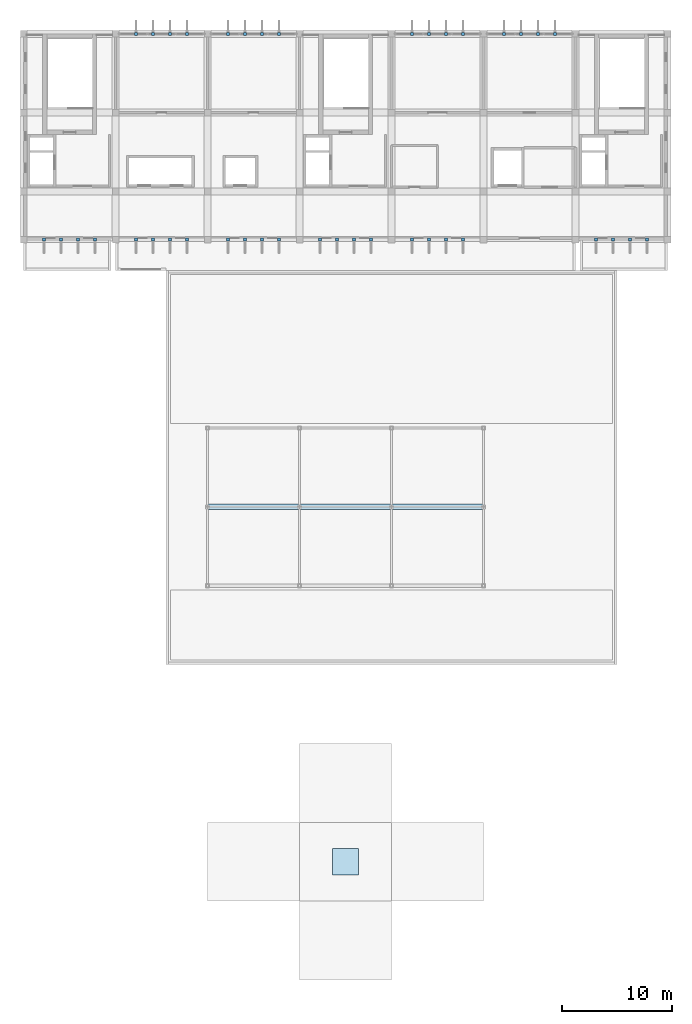
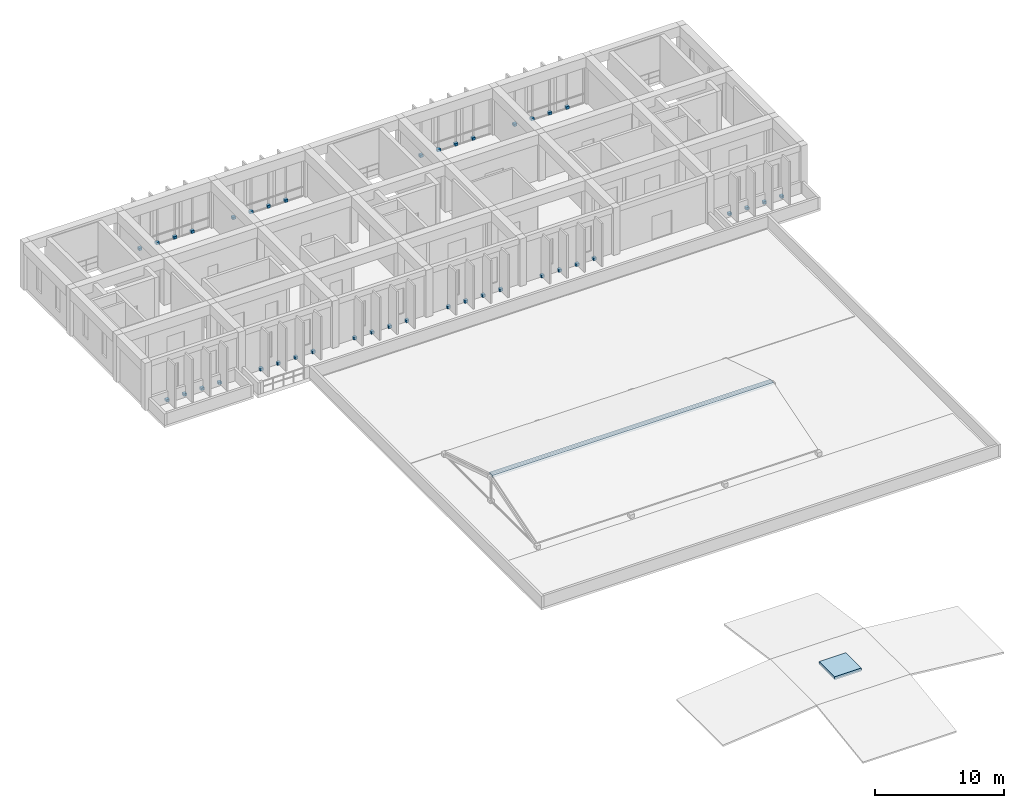
# One storey, part 15 of 16: 40 discrete accessories, 2 roofs.
"""IFC4 building model written with IfcOpenShell, lengths in metres."""

from ifc_helpers import new_model, si_unit, direction, frame, origin, origin_2d, place, context, subcontext, project, spatial, rectangle, extrude, material, layer, layer_set, type_object, element, save


model = new_model("IFC4")

# Units and contexts
model_context = context("Model", 3, precision=1e-05, world=origin(), true_north=direction((0.0, 1.0)))
body_context = subcontext(model_context, "Body", "Model", "MODEL_VIEW")
ifc_project = project(units=[si_unit("LENGTHUNIT", "METRE"), si_unit("AREAUNIT", "SQUARE_METRE"), si_unit("VOLUMEUNIT", "CUBIC_METRE"), si_unit("PLANEANGLEUNIT", "RADIAN"), si_unit("MASSUNIT", "GRAM", prefix="KILO")], contexts=[model_context])

# Site, building, storey
site_placement = place(None, origin())
site = spatial("IfcSite", under=ifc_project, at=site_placement, CompositionType="ELEMENT")
building_placement = place(site_placement, origin())
building = spatial("IfcBuilding", under=site, at=building_placement, Name="Kenerak Square Central Library", CompositionType="ELEMENT")
storey_placement = place(building_placement, frame((0.0, 0.0, 27.840087890625)))
storey = spatial("IfcBuildingStorey", under=building, at=storey_placement, Name="L06", CompositionType="ELEMENT", Elevation=27.840087890625)

# Roofs
ifc_material_1 = material(Name="Precast concrete C40/50", Category="concrete")
ifc_layer_1 = layer(ifc_material_1, 0.179931640625)
ifc_layer_set_1 = layer_set([ifc_layer_1], Name="Precast concrete C40/50")
roof_type_1 = type_object("IfcRoofType", Name="Folded Acoustic Pitched Roof RF-GABLE", PredefinedType="GABLE_ROOF", material=ifc_layer_set_1)
roof_1_placement = place(storey_placement, frame((87.800048828125, 67.199951171875, 2.44970703125), z_axis=(0.0, 0.0, 1.0), x_axis=(1.0, 0.0, 0.0)))
element("IfcRoof", 1, at=roof_1_placement, inside=storey, type_object=roof_type_1, Name="Atrium Skylight Lantern Ridge", PredefinedType="GABLE_ROOF", context=body_context, shape_type="SweptSolid", body=[
    extrude(rectangle(XDim=25.199951171875, YDim=0.5, at=origin_2d()), origin(), (0.0, 0.0, 1.0), 0.219970703125),
])
ifc_material_2 = material(Name="Steel S355", Category="steel")
ifc_layer_2 = layer(ifc_material_2, 0.159912109375)
ifc_layer_set_2 = layer_set([ifc_layer_2], Name="Steel S355")
roof_type_2 = type_object("IfcRoofType", Name="Translational Gridshell Barrel Roof RF-BARREL", PredefinedType="BARREL_ROOF", material=ifc_layer_set_2)
roof_2_placement = place(storey_placement, frame((87.800048828125, 34.800048828125, -0.490234375), z_axis=(0.0, 0.0, 1.0), x_axis=(1.0, 0.0, 0.0)))
element("IfcRoof", 2, at=roof_2_placement, inside=storey, type_object=roof_type_2, Name="Main Reading Room Barrel Gridshell Crown Cap", PredefinedType="BARREL_ROOF", context=body_context, shape_type="SweptSolid", body=[
    extrude(rectangle(XDim=2.39990234375, YDim=2.39990234375, at=origin_2d()), origin(), (0.0, 0.0, 1.0), 0.300048828125),
])

# Discrete accessories
discrete_accessory_type = type_object("IfcDiscreteAccessoryType", Name="Solar Fin Structural Cleat Bracket BRK-S355", PredefinedType="BRACKET", material=ifc_material_2)
for number, where, z_axis, x_axis, name in (
    (3, (115.340087890625, 91.60009765625, 0.0), (0.0, 0.0, 1.0), (-1.0, 0.0, 0.0), "Solar Fin Cleat Bracket BRK-01 L06 0435"),
    (4, (113.780029296875, 91.60009765625, 0.0), (0.0, 0.0, 1.0), (-1.0, 0.0, 0.0), "Solar Fin Cleat Bracket BRK-01 L06 0436"),
    (5, (112.219970703125, 91.60009765625, 0.0), (0.0, 0.0, 1.0), (-1.0, 0.0, 0.0), "Solar Fin Cleat Bracket BRK-01 L06 0437"),
    (6, (110.659912109375, 91.60009765625, 0.0), (0.0, 0.0, 1.0), (-1.0, 0.0, 0.0), "Solar Fin Cleat Bracket BRK-01 L06 0438"),
    (7, (98.5400390625, 91.60009765625, 0.0), (0.0, 0.0, 1.0), (-1.0, 0.0, 0.0), "Solar Fin Cleat Bracket BRK-01 L06 0439"),
    (8, (96.97998046875, 91.60009765625, 0.0), (0.0, 0.0, 1.0), (-1.0, 0.0, 0.0), "Solar Fin Cleat Bracket BRK-01 L06 0440"),
    (9, (95.419921875, 91.60009765625, 0.0), (0.0, 0.0, 1.0), (-1.0, 0.0, 0.0), "Solar Fin Cleat Bracket BRK-01 L06 0441"),
    (10, (93.860107421875, 91.60009765625, 0.0), (0.0, 0.0, 1.0), (-1.0, 0.0, 0.0), "Solar Fin Cleat Bracket BRK-01 L06 0442"),
    (11, (90.139892578125, 91.60009765625, 0.0), (0.0, 0.0, 1.0), (-1.0, 0.0, 0.0), "Solar Fin Cleat Bracket BRK-01 L06 0443"),
    (12, (88.580078125, 91.60009765625, 0.0), (0.0, 0.0, 1.0), (-1.0, 0.0, 0.0), "Solar Fin Cleat Bracket BRK-01 L06 0444"),
    (13, (87.02001953125, 91.60009765625, 0.0), (0.0, 0.0, 1.0), (-1.0, 0.0, 0.0), "Solar Fin Cleat Bracket BRK-01 L06 0445"),
    (14, (85.4599609375, 91.60009765625, 0.0), (0.0, 0.0, 1.0), (-1.0, 0.0, 0.0), "Solar Fin Cleat Bracket BRK-01 L06 0446"),
    (15, (81.739990234375, 91.60009765625, 0.0), (0.0, 0.0, 1.0), (-1.0, 0.0, 0.0), "Solar Fin Cleat Bracket BRK-01 L06 0447"),
    (16, (80.179931640625, 91.60009765625, 0.0), (0.0, 0.0, 1.0), (-1.0, 0.0, 0.0), "Solar Fin Cleat Bracket BRK-01 L06 0448"),
    (17, (78.6201171875, 91.60009765625, 0.0), (0.0, 0.0, 1.0), (-1.0, 0.0, 0.0), "Solar Fin Cleat Bracket BRK-01 L06 0449"),
    (18, (77.06005859375, 91.60009765625, 0.0), (0.0, 0.0, 1.0), (-1.0, 0.0, 0.0), "Solar Fin Cleat Bracket BRK-01 L06 0450"),
    (19, (73.340087890625, 91.60009765625, 0.0), (0.0, 0.0, 1.0), (-1.0, 0.0, 0.0), "Solar Fin Cleat Bracket BRK-01 L06 0451"),
    (20, (71.780029296875, 91.60009765625, 0.0), (0.0, 0.0, 1.0), (-1.0, 0.0, 0.0), "Solar Fin Cleat Bracket BRK-01 L06 0452"),
    (21, (70.219970703125, 91.60009765625, 0.0), (0.0, 0.0, 1.0), (-1.0, 0.0, 0.0), "Solar Fin Cleat Bracket BRK-01 L06 0453"),
    (22, (68.659912109375, 91.60009765625, 0.0), (0.0, 0.0, 1.0), (-1.0, 0.0, 0.0), "Solar Fin Cleat Bracket BRK-01 L06 0454"),
    (23, (64.93994140625, 91.60009765625, 0.0), (0.0, 0.0, 1.0), (-1.0, 0.0, 0.0), "Solar Fin Cleat Bracket BRK-01 L06 0455"),
    (24, (63.3798828125, 91.60009765625, 0.0), (0.0, 0.0, 1.0), (-1.0, 0.0, 0.0), "Solar Fin Cleat Bracket BRK-01 L06 0456"),
    (25, (61.820068359375, 91.60009765625, 0.0), (0.0, 0.0, 1.0), (-1.0, 0.0, 0.0), "Solar Fin Cleat Bracket BRK-01 L06 0457"),
    (26, (60.260009765625, 91.60009765625, 0.0), (0.0, 0.0, 1.0), (-1.0, 0.0, 0.0), "Solar Fin Cleat Bracket BRK-01 L06 0458"),
    (27, (68.659912109375, 110.39990234375, 0.0), (0.0, 0.0, 1.0), (1.0, 0.0, 0.0), "Solar Fin Cleat Bracket BRK-01 L06 0459"),
    (28, (70.219970703125, 110.39990234375, 0.0), (0.0, 0.0, 1.0), (1.0, 0.0, 0.0), "Solar Fin Cleat Bracket BRK-01 L06 0460"),
    (29, (71.780029296875, 110.39990234375, 0.0), (0.0, 0.0, 1.0), (1.0, 0.0, 0.0), "Solar Fin Cleat Bracket BRK-01 L06 0461"),
    (30, (73.340087890625, 110.39990234375, 0.0), (0.0, 0.0, 1.0), (1.0, 0.0, 0.0), "Solar Fin Cleat Bracket BRK-01 L06 0462"),
    (31, (77.06005859375, 110.39990234375, 0.0), (0.0, 0.0, 1.0), (1.0, 0.0, 0.0), "Solar Fin Cleat Bracket BRK-01 L06 0463"),
    (32, (78.6201171875, 110.39990234375, 0.0), (0.0, 0.0, 1.0), (1.0, 0.0, 0.0), "Solar Fin Cleat Bracket BRK-01 L06 0464"),
    (33, (80.179931640625, 110.39990234375, 0.0), (0.0, 0.0, 1.0), (1.0, 0.0, 0.0), "Solar Fin Cleat Bracket BRK-01 L06 0465"),
    (34, (81.739990234375, 110.39990234375, 0.0), (0.0, 0.0, 1.0), (1.0, 0.0, 0.0), "Solar Fin Cleat Bracket BRK-01 L06 0466"),
    (35, (93.860107421875, 110.39990234375, 0.0), (0.0, 0.0, 1.0), (1.0, 0.0, 0.0), "Solar Fin Cleat Bracket BRK-01 L06 0467"),
    (36, (95.419921875, 110.39990234375, 0.0), (0.0, 0.0, 1.0), (1.0, 0.0, 0.0), "Solar Fin Cleat Bracket BRK-01 L06 0468"),
    (37, (96.97998046875, 110.39990234375, 0.0), (0.0, 0.0, 1.0), (1.0, 0.0, 0.0), "Solar Fin Cleat Bracket BRK-01 L06 0469"),
    (38, (98.5400390625, 110.39990234375, 0.0), (0.0, 0.0, 1.0), (1.0, 0.0, 0.0), "Solar Fin Cleat Bracket BRK-01 L06 0470"),
    (39, (102.260009765625, 110.39990234375, 0.0), (0.0, 0.0, 1.0), (1.0, 0.0, 0.0), "Solar Fin Cleat Bracket BRK-01 L06 0471"),
    (40, (103.820068359375, 110.39990234375, 0.0), (0.0, 0.0, 1.0), (1.0, 0.0, 0.0), "Solar Fin Cleat Bracket BRK-01 L06 0472"),
    (41, (105.3798828125, 110.39990234375, 0.0), (0.0, 0.0, 1.0), (1.0, 0.0, 0.0), "Solar Fin Cleat Bracket BRK-01 L06 0473"),
    (42, (106.93994140625, 110.39990234375, 0.0), (0.0, 0.0, 1.0), (1.0, 0.0, 0.0), "Solar Fin Cleat Bracket BRK-01 L06 0474"),
):
    element("IfcDiscreteAccessory", number, at=place(storey_placement, frame(where, z_axis=z_axis, x_axis=x_axis)), inside=storey, type_object=discrete_accessory_type, Name=name, PredefinedType="BRACKET", context=body_context, shape_type="SweptSolid", body=[
        extrude(rectangle(XDim=0.280029296875, YDim=0.280029296875, at=origin_2d()), origin(), (0.0, 0.0, 1.0), 0.239990234375),
    ])

save(model, "model.ifc")
